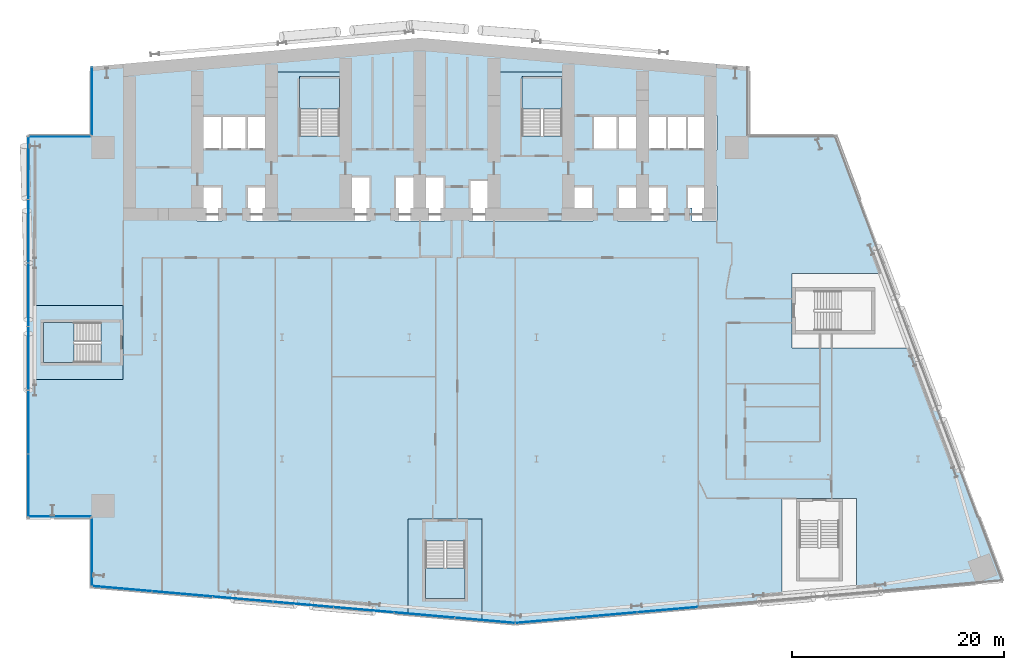
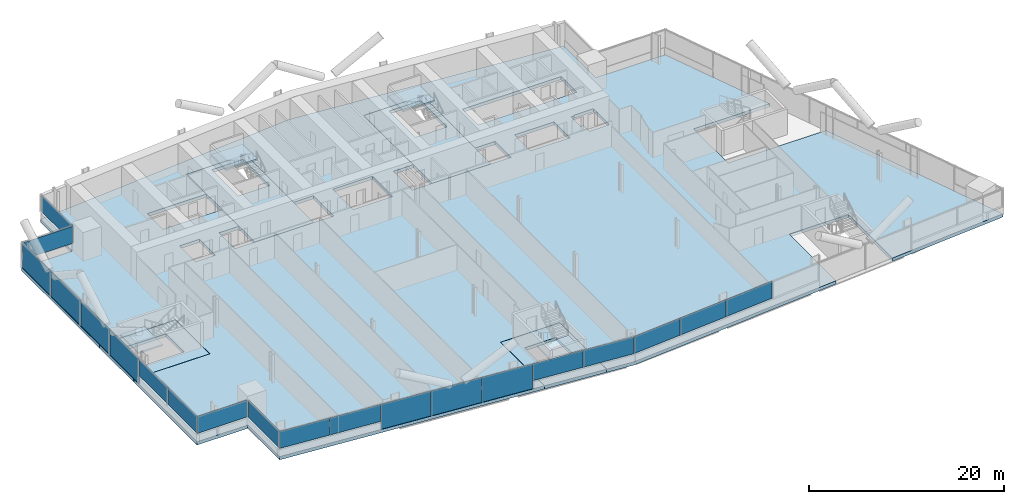
# One storey, part 11 of 25: 20 plates, 9 slabs, 11 elements without a shape of their own.
"""IFC4 building model written with IfcOpenShell, lengths in metres."""

from ifc_helpers import new_model, si_unit, direction, frame, origin, origin_2d, place, context, subcontext, project, spatial, polyline, rectangle, outline, extrude, material, layer, layer_set, type_object, element, aggregate, save


model = new_model("IFC4")

# Units and contexts
model_context = context("Model", 3, precision=1e-05, world=origin(), true_north=direction((0.0, 1.0)))
body_context = subcontext(model_context, "Body", "Model", "MODEL_VIEW")
ifc_project = project(units=[si_unit("LENGTHUNIT", "METRE"), si_unit("AREAUNIT", "SQUARE_METRE"), si_unit("VOLUMEUNIT", "CUBIC_METRE"), si_unit("PLANEANGLEUNIT", "RADIAN"), si_unit("MASSUNIT", "GRAM", prefix="KILO")], contexts=[model_context])

# Site, building, storey
site_placement = place(None, origin())
site = spatial("IfcSite", under=ifc_project, at=site_placement, CompositionType="ELEMENT")
building_placement = place(site_placement, origin())
building = spatial("IfcBuilding", under=site, at=building_placement, Name="Wharfspan Tower", CompositionType="ELEMENT")
storey_placement = place(building_placement, frame((0.0, 0.0, 63.100098)))
storey = spatial("IfcBuildingStorey", under=building, at=storey_placement, Name="L12", CompositionType="ELEMENT", Elevation=63.100098)

# Curtain wall, plates
ifc_material_1 = material(Name="Aluminium 6063-T6", Category="aluminium")
curtain_wall_type_1 = type_object("IfcCurtainWallType", Name="CURTAIN WALL FACETED FRONT", PredefinedType="NOTDEFINED", material=ifc_material_1)
curtain_wall_1_placement = place(storey_placement, origin())
curtain_wall_1 = element("IfcCurtainWall", 1, at=curtain_wall_1_placement, inside=storey, type_object=curtain_wall_type_1, Name="Curtain wall S1", PredefinedType="NOTDEFINED")
ifc_material_2 = material(Name="Glass clear low-iron double glazing", Category="glass")
ifc_layer_1 = layer(ifc_material_2, 0.040039)
ifc_layer_set_1 = layer_set([ifc_layer_1], Name="Glass clear low-iron double glazing")
plate_type_1 = type_object("IfcPlateType", Name="GLASS PANEL FACETED FRONT 40", PredefinedType="CURTAIN_PANEL", material=ifc_layer_set_1)
plate_1_placement = place(storey_placement, frame((8.877197, -0.716553, 0.999756), z_axis=(0.0, 0.0, 1.0), x_axis=(0.996197, -0.087156, 0.0)))
plate_1 = element("IfcPlate", 2, at=plate_1_placement, type_object=plate_type_1, Name="Curtain wall S1 panel 1", PredefinedType="CURTAIN_PANEL", context=body_context, shape_type="SweptSolid", body=[
    extrude(rectangle(XDim=5.645996, YDim=0.040039, at=origin_2d()), origin(), (0.0, 0.0, 1.0), 2.120117),
])
plate_2_placement = place(storey_placement, frame((14.57666, -1.215088, 0.999756), z_axis=(0.0, 0.0, 1.0), x_axis=(0.996197, -0.087156, 0.0)))
plate_2 = element("IfcPlate", 3, at=plate_2_placement, type_object=plate_type_1, Name="Curtain wall S1 panel 2", PredefinedType="CURTAIN_PANEL", context=body_context, shape_type="SweptSolid", body=[
    extrude(rectangle(XDim=5.676025, YDim=0.040039, at=origin_2d()), origin(), (0.0, 0.0, 1.0), 2.120117),
])
plate_3_placement = place(storey_placement, frame((37.433838, -3.214844, 0.999756), z_axis=(0.0, 0.0, 1.0), x_axis=(0.996197, -0.087156, 0.0)))
plate_3 = element("IfcPlate", 4, at=plate_3_placement, type_object=plate_type_1, Name="Curtain wall S1 panel 6", PredefinedType="CURTAIN_PANEL", context=body_context, shape_type="SweptSolid", body=[
    extrude(rectangle(XDim=5.676025, YDim=0.040039, at=origin_2d()), origin(), (0.0, 0.0, 1.0), 2.120117),
])
plate_4_placement = place(storey_placement, frame((43.133057, -3.713379, 0.999756), z_axis=(0.0, 0.0, 1.0), x_axis=(0.996197, -0.087156, 0.0)))
plate_4 = element("IfcPlate", 5, at=plate_4_placement, type_object=plate_type_1, Name="Curtain wall S1 panel 7", PredefinedType="CURTAIN_PANEL", context=body_context, shape_type="SweptSolid", body=[
    extrude(rectangle(XDim=5.645996, YDim=0.040039, at=origin_2d()), origin(), (0.0, 0.0, 1.0), 2.120117),
])

curtain_wall_2_placement = place(storey_placement, origin())
curtain_wall_2 = element("IfcCurtainWall", 6, at=curtain_wall_2_placement, inside=storey, type_object=curtain_wall_type_1, Name="Curtain wall S2", PredefinedType="NOTDEFINED")
plate_5_placement = place(storey_placement, frame((48.884766, -3.711914, 0.999756), z_axis=(0.0, 0.0, 1.0), x_axis=(0.996197, 0.087156, 0.0)))
plate_5 = element("IfcPlate", 7, at=plate_5_placement, type_object=plate_type_1, Name="Curtain wall S2 panel 1", PredefinedType="CURTAIN_PANEL", context=body_context, shape_type="SweptSolid", body=[
    extrude(rectangle(XDim=5.681885, YDim=0.040039, at=origin_2d()), origin(), (0.0, 0.0, 1.0), 2.120117),
])
plate_6_placement = place(storey_placement, frame((54.619873, -3.210205, 0.999756), z_axis=(0.0, 0.0, 1.0), x_axis=(0.996197, 0.087156, 0.0)))
plate_6 = element("IfcPlate", 8, at=plate_6_placement, type_object=plate_type_1, Name="Curtain wall S2 panel 2", PredefinedType="CURTAIN_PANEL", context=body_context, shape_type="SweptSolid", body=[
    extrude(rectangle(XDim=5.711914, YDim=0.040039, at=origin_2d()), origin(), (0.0, 0.0, 1.0), 2.120117),
])
plate_7_placement = place(storey_placement, frame((60.369873, -2.707031, 0.999756), z_axis=(0.0, 0.0, 1.0), x_axis=(0.996197, 0.087156, 0.0)))
plate_7 = element("IfcPlate", 9, at=plate_7_placement, type_object=plate_type_1, Name="Curtain wall S2 panel 3", PredefinedType="CURTAIN_PANEL", context=body_context, shape_type="SweptSolid", body=[
    extrude(rectangle(XDim=5.711914, YDim=0.040039, at=origin_2d()), origin(), (0.0, 0.0, 1.0), 2.120117),
])
aggregate(curtain_wall_2, [plate_5, plate_6, plate_7])

# Curtain wall, plate
curtain_wall_type_2 = type_object("IfcCurtainWallType", Name="CURTAIN WALL PROW AND END", PredefinedType="NOTDEFINED", material=ifc_material_1)
curtain_wall_3_placement = place(storey_placement, origin())
curtain_wall_3 = element("IfcCurtainWall", 10, at=curtain_wall_3_placement, inside=storey, type_object=curtain_wall_type_2, Name="Curtain wall NRW-V", PredefinedType="NOTDEFINED")
ifc_layer_2 = layer(ifc_material_2, 0.040039)
ifc_layer_set_2 = layer_set([ifc_layer_2], Name="Glass clear low-iron double glazing")
plate_type_2 = type_object("IfcPlateType", Name="GLASS PANEL PROW AND END 40", PredefinedType="CURTAIN_PANEL", material=ifc_layer_set_2)
plate_8_placement = place(storey_placement, frame((6.080078, 45.262451, 0.999756), z_axis=(0.0, 0.0, 1.0), x_axis=(0.0, -1.0, 0.0)))
plate_8 = element("IfcPlate", 11, at=plate_8_placement, type_object=plate_type_2, Name="Curtain wall NRW-V panel 1", PredefinedType="CURTAIN_PANEL", context=body_context, shape_type="SweptSolid", body=[
    extrude(rectangle(XDim=6.405029, YDim=0.040039, at=origin_2d()), origin(), (0.0, 0.0, 1.0), 2.120117),
])
aggregate(curtain_wall_3, [plate_8])

curtain_wall_4_placement = place(storey_placement, origin())
curtain_wall_4 = element("IfcCurtainWall", 12, at=curtain_wall_4_placement, inside=storey, type_object=curtain_wall_type_2, Name="Curtain wall NRW-H", PredefinedType="NOTDEFINED")
plate_9_placement = place(storey_placement, frame((3.0, 41.919922, 0.999756), z_axis=(0.0, 0.0, 1.0), x_axis=(-1.0, 0.0, 0.0)))
plate_9 = element("IfcPlate", 13, at=plate_9_placement, type_object=plate_type_2, Name="Curtain wall NRW-H panel 1", PredefinedType="CURTAIN_PANEL", context=body_context, shape_type="SweptSolid", body=[
    extrude(rectangle(XDim=5.879883, YDim=0.040039, at=origin_2d()), origin(), (0.0, 0.0, 1.0), 2.120117),
])
aggregate(curtain_wall_4, [plate_9])

# Curtain wall, plates
curtain_wall_5_placement = place(storey_placement, origin())
curtain_wall_5 = element("IfcCurtainWall", 14, at=curtain_wall_5_placement, inside=storey, type_object=curtain_wall_type_2, Name="Curtain wall W", PredefinedType="NOTDEFINED")
plate_10_placement = place(storey_placement, frame((0.080078, 15.0, 0.999756), z_axis=(0.0, 0.0, 1.0), x_axis=(0.0, -1.0, 0.0)))
plate_10 = element("IfcPlate", 15, at=plate_10_placement, type_object=plate_type_2, Name="Curtain wall W panel 5", PredefinedType="CURTAIN_PANEL", context=body_context, shape_type="SweptSolid", body=[
    extrude(rectangle(XDim=5.939941, YDim=0.040039, at=origin_2d()), origin(), (0.0, 0.0, 1.0), 2.120117),
])
plate_11_placement = place(storey_placement, frame((0.080078, 9.014893, 0.999756), z_axis=(0.0, 0.0, 1.0), x_axis=(0.0, -1.0, 0.0)))
plate_11 = element("IfcPlate", 16, at=plate_11_placement, type_object=plate_type_2, Name="Curtain wall W panel 6", PredefinedType="CURTAIN_PANEL", context=body_context, shape_type="SweptSolid", body=[
    extrude(rectangle(XDim=5.909912, YDim=0.040039, at=origin_2d()), origin(), (0.0, 0.0, 1.0), 2.120117),
])

# Curtain wall, plate
curtain_wall_6_placement = place(storey_placement, origin())
curtain_wall_6 = element("IfcCurtainWall", 17, at=curtain_wall_6_placement, inside=storey, type_object=curtain_wall_type_2, Name="Curtain wall NFW-H", PredefinedType="NOTDEFINED")
plate_12_placement = place(storey_placement, frame((3.0, 6.080078, 0.999756), z_axis=(0.0, 0.0, 1.0), x_axis=(1.0, 0.0, 0.0)))
plate_12 = element("IfcPlate", 18, at=plate_12_placement, type_object=plate_type_2, Name="Curtain wall NFW-H panel 1", PredefinedType="CURTAIN_PANEL", context=body_context, shape_type="SweptSolid", body=[
    extrude(rectangle(XDim=5.879883, YDim=0.040039, at=origin_2d()), origin(), (0.0, 0.0, 1.0), 2.120117),
])
aggregate(curtain_wall_6, [plate_12])

curtain_wall_7_placement = place(storey_placement, origin())
curtain_wall_7 = element("IfcCurtainWall", 19, at=curtain_wall_7_placement, inside=storey, type_object=curtain_wall_type_2, Name="Curtain wall NFW-V", PredefinedType="NOTDEFINED")
plate_13_placement = place(storey_placement, frame((6.080078, 2.737549, 0.999756), z_axis=(0.0, 0.0, 1.0), x_axis=(0.0, -1.0, 0.0)))
plate_13 = element("IfcPlate", 20, at=plate_13_placement, type_object=plate_type_2, Name="Curtain wall NFW-V panel 1", PredefinedType="CURTAIN_PANEL", context=body_context, shape_type="SweptSolid", body=[
    extrude(rectangle(XDim=6.405029, YDim=0.040039, at=origin_2d()), origin(), (0.0, 0.0, 1.0), 2.120117),
])
aggregate(curtain_wall_7, [plate_13])

# Plate
ifc_material_3 = material(Name="Aluminium composite opaque insulated panel", Category="aluminium")
ifc_layer_3 = layer(ifc_material_3, 0.040039)
ifc_layer_set_3 = layer_set([ifc_layer_3], Name="Aluminium composite opaque insulated panel")
plate_type_3 = type_object("IfcPlateType", Name="INFILL PANEL FACETED FRONT OPAQUE 40", PredefinedType="SHEET", material=ifc_layer_set_3)
plate_14_placement = place(storey_placement, frame((20.291016, -1.715088, -0.000244), z_axis=(0.0, 0.0, 1.0), x_axis=(0.996197, -0.087156, 0.0)))
plate_14 = element("IfcPlate", 21, at=plate_14_placement, type_object=plate_type_3, Name="Curtain wall S1 panel 3", PredefinedType="SHEET", context=body_context, shape_type="SweptSolid", body=[
    extrude(rectangle(XDim=5.676025, YDim=0.040039, at=origin_2d()), origin(), (0.0, 0.0, 1.0), 3.120117),
])

plate_15_placement = place(storey_placement, frame((26.005127, -2.214844, -0.000244), z_axis=(0.0, 0.0, 1.0), x_axis=(0.996197, -0.087156, 0.0)))
plate_15 = element("IfcPlate", 22, at=plate_15_placement, type_object=plate_type_3, Name="Curtain wall S1 panel 4", PredefinedType="SHEET", context=body_context, shape_type="SweptSolid", body=[
    extrude(rectangle(XDim=5.676025, YDim=0.040039, at=origin_2d()), origin(), (0.0, 0.0, 1.0), 3.120117),
])

plate_16_placement = place(storey_placement, frame((31.719482, -2.714844, -0.000244), z_axis=(0.0, 0.0, 1.0), x_axis=(0.996197, -0.087156, 0.0)))
plate_16 = element("IfcPlate", 23, at=plate_16_placement, type_object=plate_type_3, Name="Curtain wall S1 panel 5", PredefinedType="SHEET", context=body_context, shape_type="SweptSolid", body=[
    extrude(rectangle(XDim=5.676025, YDim=0.040039, at=origin_2d()), origin(), (0.0, 0.0, 1.0), 3.120117),
])

aggregate(curtain_wall_1, [plate_1, plate_2, plate_14, plate_15, plate_16, plate_3, plate_4])

ifc_layer_4 = layer(ifc_material_3, 0.040039)
ifc_layer_set_4 = layer_set([ifc_layer_4], Name="Aluminium composite opaque insulated panel")
plate_type_4 = type_object("IfcPlateType", Name="INFILL PANEL PROW AND END OPAQUE 40", PredefinedType="SHEET", material=ifc_layer_set_4)
plate_17_placement = place(storey_placement, frame((0.080078, 38.985107, -0.000244), z_axis=(0.0, 0.0, 1.0), x_axis=(0.0, -1.0, 0.0)))
plate_17 = element("IfcPlate", 24, at=plate_17_placement, type_object=plate_type_4, Name="Curtain wall W panel 1", PredefinedType="SHEET", context=body_context, shape_type="SweptSolid", body=[
    extrude(rectangle(XDim=5.909912, YDim=0.040039, at=origin_2d()), origin(), (0.0, 0.0, 1.0), 3.120117),
])

plate_18_placement = place(storey_placement, frame((0.080078, 33.0, -0.000244), z_axis=(0.0, 0.0, 1.0), x_axis=(0.0, -1.0, 0.0)))
plate_18 = element("IfcPlate", 25, at=plate_18_placement, type_object=plate_type_4, Name="Curtain wall W panel 2", PredefinedType="SHEET", context=body_context, shape_type="SweptSolid", body=[
    extrude(rectangle(XDim=5.939941, YDim=0.040039, at=origin_2d()), origin(), (0.0, 0.0, 1.0), 3.120117),
])

plate_19_placement = place(storey_placement, frame((0.080078, 27.0, -0.000244), z_axis=(0.0, 0.0, 1.0), x_axis=(0.0, -1.0, 0.0)))
plate_19 = element("IfcPlate", 26, at=plate_19_placement, type_object=plate_type_4, Name="Curtain wall W panel 3", PredefinedType="SHEET", context=body_context, shape_type="SweptSolid", body=[
    extrude(rectangle(XDim=5.939941, YDim=0.040039, at=origin_2d()), origin(), (0.0, 0.0, 1.0), 3.120117),
])

plate_20_placement = place(storey_placement, frame((0.080078, 21.0, -0.000244), z_axis=(0.0, 0.0, 1.0), x_axis=(0.0, -1.0, 0.0)))
plate_20 = element("IfcPlate", 27, at=plate_20_placement, type_object=plate_type_4, Name="Curtain wall W panel 4", PredefinedType="SHEET", context=body_context, shape_type="SweptSolid", body=[
    extrude(rectangle(XDim=5.939941, YDim=0.040039, at=origin_2d()), origin(), (0.0, 0.0, 1.0), 3.120117),
])

aggregate(curtain_wall_5, [plate_17, plate_18, plate_19, plate_20, plate_10, plate_11])

# Slabs
ifc_material_4 = material(Name="Concrete C40/50", Category="concrete")
ifc_layer_5 = layer(ifc_material_4, 0.399902)
ifc_layer_set_5 = layer_set([ifc_layer_5], Name="Concrete C40/50")
slab_type_1 = type_object("IfcSlabType", Name="Post-tensioned flat slab 400", PredefinedType="FLOOR", material=ifc_layer_set_5)
slab_1_placement = place(storey_placement, frame((0.0, 0.0, -0.400146)))
element("IfcSlab", 28, at=slab_1_placement, inside=storey, type_object=slab_type_1, Name="Floor slab L12", PredefinedType="FLOOR", context=body_context, shape_type="SweptSolid", body=[
    extrude(outline(polyline([(35.873291, -3.138428), (35.873291, 5.870605), (42.893311, 5.870605), (42.893311, -3.752686), (46.0, -4.024414), (71.182617, -1.821289), (71.182617, 7.802002), (78.202393, 7.802002), (78.202393, -1.207031), (92.0, 0.0), (83.753662, 21.98999), (72.11499, 21.98999), (72.11499, 29.01001), (81.121338, 29.01001), (76.25, 42.0), (68.0, 42.0), (68.0, 48.524902), (37.0, 51.237061), (6.0, 48.524902), (6.0, 42.0), (0.0, 42.0), (0.0, 26.01001), (9.01001, 26.01001), (9.01001, 18.98999), (0.0, 18.98999), (0.0, 6.0), (6.0, 6.0), (6.0, -0.524902), (35.873291, -3.138428)]), holes=[polyline([(62.290039, 37.159912), (62.656738, 37.159912), (62.656738, 37.26001), (65.01001, 37.26001), (65.01001, 33.98999), (62.656738, 33.98999), (62.656738, 35.189941), (62.290039, 35.189941), (62.290039, 37.159912)]), polyline([(65.01001, 43.909912), (65.01001, 40.689941), (53.323242, 40.689941), (53.323242, 43.909912), (65.01001, 43.909912)]), polyline([(55.656738, 33.98999), (55.656738, 37.26001), (60.343262, 37.26001), (60.343262, 33.98999), (55.656738, 33.98999)]), polyline([(43.98999, 37.860107), (43.98999, 48.01001), (51.01001, 48.01001), (51.01001, 37.26001), (53.343262, 37.26001), (53.343262, 33.98999), (41.656738, 33.98999), (41.656738, 37.860107), (43.98999, 37.860107)]), polyline([(34.656738, 33.98999), (34.656738, 38.159912), (39.343262, 38.159912), (39.343262, 33.98999), (34.656738, 33.98999)]), polyline([(15.98999, 40.689941), (15.98999, 43.909912), (20.656738, 43.909912), (20.676758, 43.909912), (22.98999, 43.909912), (22.98999, 48.01001), (30.01001, 48.01001), (30.01001, 38.159912), (32.343262, 38.159912), (32.343262, 33.98999), (20.656738, 33.98999), (20.656738, 37.26001), (22.98999, 37.26001), (22.98999, 40.689941), (20.676758, 40.689941), (20.656738, 40.689941), (15.98999, 40.689941)]), polyline([(18.343262, 37.26001), (18.343262, 33.98999), (15.98999, 33.98999), (15.98999, 37.26001), (18.343262, 37.26001)])]), origin(), (0.0, 0.0, 1.0), 0.400146),
])
slab_2_placement = place(storey_placement, frame((0.0, 0.0, -0.400146)))
element("IfcSlab", 29, at=slab_2_placement, inside=storey, type_object=slab_type_1, Name="Core floor slab L12 part 1", PredefinedType="FLOOR", context=body_context, shape_type="SweptSolid", body=[
    extrude(outline(polyline([(9.0, 20.324951), (9.0, 24.675049), (9.0, 26.0), (0.0, 26.0), (0.0, 19.0), (9.0, 19.0), (9.0, 20.324951)]), holes=[polyline([(6.9021, 20.625), (6.9021, 20.624756), (6.9021, 20.624512), (6.901855, 20.624512), (6.901855, 20.624268), (6.901855, 20.624023), (6.901611, 20.623779), (6.901611, 20.623779), (6.901367, 20.623535), (6.901367, 20.623535), (6.901123, 20.623291), (6.900879, 20.623291), (6.900879, 20.623291), (6.900635, 20.623047), (6.900391, 20.623047), (6.900146, 20.623047), (6.899902, 20.623047), (1.5, 20.623047), (1.499756, 20.623047), (1.499512, 20.623047), (1.499512, 20.623047), (1.499268, 20.623291), (1.499023, 20.623291), (1.498779, 20.623291), (1.498779, 20.623535), (1.498535, 20.623535), (1.498535, 20.623779), (1.498291, 20.623779), (1.498291, 20.624023), (1.498291, 20.624268), (1.498047, 20.624512), (1.498047, 20.624512), (1.498047, 20.624756), (1.498047, 20.625), (1.498047, 24.375), (1.498047, 24.375244), (1.498047, 24.375488), (1.498047, 24.375488), (1.498291, 24.375732), (1.498291, 24.375977), (1.498291, 24.376221), (1.498535, 24.376221), (1.498535, 24.376465), (1.498779, 24.376465), (1.498779, 24.376709), (1.499023, 24.376709), (1.499268, 24.376709), (1.499512, 24.376953), (1.499512, 24.376953), (1.499756, 24.376953), (1.5, 24.376953), (6.899902, 24.376953), (6.900146, 24.376953), (6.900391, 24.376953), (6.900635, 24.376953), (6.900879, 24.376709), (6.900879, 24.376709), (6.901123, 24.376709), (6.901367, 24.376465), (6.901367, 24.376465), (6.901611, 24.376221), (6.901611, 24.376221), (6.901855, 24.375977), (6.901855, 24.375732), (6.901855, 24.375488), (6.9021, 24.375488), (6.9021, 24.375244), (6.9021, 24.375), (6.9021, 20.625)])]), origin(), (0.0, 0.0, 1.0), 0.400146),
])
slab_3_placement = place(storey_placement, frame((0.0, 0.0, -0.400146)))
element("IfcSlab", 30, at=slab_3_placement, inside=storey, type_object=slab_type_1, Name="Core floor slab L12 part 2", PredefinedType="FLOOR", context=body_context, shape_type="SweptSolid", body=[
    extrude(outline(polyline([(20.664795, 34.0), (20.664795, 37.25), (20.664795, 37.250244), (20.664795, 37.250488), (20.664795, 37.250488), (20.664795, 37.250732), (20.664795, 37.250977), (20.665039, 37.251221), (20.665039, 37.251221), (20.665283, 37.251465), (20.665283, 37.251465), (20.665527, 37.251709), (20.665771, 37.251709), (20.666016, 37.251709), (20.666016, 37.251953), (20.66626, 37.251953), (20.666504, 37.251953), (20.666748, 37.251953), (23.0, 37.251953), (23.000244, 37.251953), (23.000488, 37.251953), (23.000488, 37.251953), (23.000732, 37.251709), (23.000977, 37.251709), (23.001221, 37.251709), (23.001221, 37.251465), (23.001465, 37.251465), (23.001465, 37.251221), (23.001709, 37.251221), (23.001709, 37.250977), (23.001709, 37.250732), (23.001953, 37.250488), (23.001953, 37.250488), (23.001953, 37.250244), (23.001953, 37.25), (23.001953, 34.0), (29.998047, 34.0), (29.998047, 38.149902), (29.998047, 38.150146), (29.998047, 38.150391), (29.998047, 38.150635), (29.998291, 38.150879), (29.998291, 38.150879), (29.998291, 38.151123), (29.998535, 38.151367), (29.998535, 38.151367), (29.998779, 38.151611), (29.998779, 38.151611), (29.999023, 38.151855), (29.999268, 38.151855), (29.999512, 38.151855), (29.999512, 38.1521), (29.999756, 38.1521), (30.0, 38.1521), (32.333252, 38.1521), (32.333496, 38.1521), (32.33374, 38.1521), (32.333984, 38.151855), (32.333984, 38.151855), (32.334229, 38.151855), (32.334473, 38.151611), (32.334717, 38.151611), (32.334717, 38.151367), (32.334961, 38.151367), (32.334961, 38.151123), (32.335205, 38.150879), (32.335205, 38.150879), (32.335205, 38.150635), (32.335205, 38.150391), (32.335205, 38.150146), (32.335205, 38.149902), (32.335205, 34.0), (32.341309, 34.0), (32.341309, 38.157959), (30.01001, 38.157959), (30.009766, 38.157959), (30.009521, 38.157959), (30.009521, 38.158203), (30.009277, 38.158203), (30.009033, 38.158203), (30.008789, 38.158203), (30.008789, 38.158447), (30.008545, 38.158691), (30.008545, 38.158691), (30.008301, 38.158936), (30.008301, 38.15918), (30.008301, 38.15918), (30.008057, 38.159424), (30.008057, 38.159668), (30.008057, 38.159912), (30.008057, 38.159912), (30.008057, 48.008057), (22.991943, 48.008057), (22.991943, 43.909912), (22.991943, 43.909912), (22.991943, 43.909668), (22.991943, 43.909424), (22.991699, 43.90918), (22.991699, 43.90918), (22.991699, 43.908936), (22.991455, 43.908691), (22.991455, 43.908691), (22.991211, 43.908447), (22.991211, 43.908203), (22.990967, 43.908203), (22.990723, 43.908203), (22.990479, 43.908203), (22.990479, 43.907959), (22.990234, 43.907959), (22.98999, 43.907959), (15.991943, 43.907959), (15.991943, 40.691895), (22.98999, 40.691895), (22.990234, 40.691895), (22.990479, 40.691895), (22.990479, 40.691895), (22.990723, 40.691895), (22.990967, 40.691895), (22.991211, 40.69165), (22.991211, 40.691406), (22.991455, 40.691406), (22.991455, 40.691406), (22.991699, 40.691162), (22.991699, 40.690918), (22.991699, 40.690918), (22.991943, 40.690674), (22.991943, 40.69043), (22.991943, 40.690186), (22.991943, 40.689941), (22.991943, 37.26001), (22.991943, 37.259766), (22.991943, 37.259521), (22.991943, 37.259521), (22.991699, 37.259277), (22.991699, 37.259033), (22.991699, 37.258789), (22.991455, 37.258789), (22.991455, 37.258545), (22.991211, 37.258545), (22.991211, 37.258301), (22.990967, 37.258301), (22.990723, 37.258301), (22.990479, 37.258057), (22.990479, 37.258057), (22.990234, 37.258057), (22.98999, 37.258057), (20.658691, 37.258057), (20.658691, 34.0), (20.664795, 34.0)]), holes=[polyline([(29.4021, 42.0), (29.4021, 41.999756), (29.4021, 41.999512), (29.401855, 41.999512), (29.401855, 41.999268), (29.401855, 41.999023), (29.401611, 41.998779), (29.401611, 41.998779), (29.401367, 41.998535), (29.401367, 41.998535), (29.401123, 41.998291), (29.400879, 41.998291), (29.400879, 41.998291), (29.400635, 41.998047), (29.400391, 41.998047), (29.400146, 41.998047), (29.399902, 41.998047), (25.649902, 41.998047), (25.649902, 41.998047), (25.649658, 41.998047), (25.649414, 41.998047), (25.64917, 41.998291), (25.64917, 41.998291), (25.648926, 41.998291), (25.648682, 41.998535), (25.648682, 41.998535), (25.648438, 41.998779), (25.648193, 41.998779), (25.648193, 41.999023), (25.648193, 41.999268), (25.648193, 41.999512), (25.647949, 41.999512), (25.647949, 41.999756), (25.647949, 42.0), (25.647949, 47.399902), (25.647949, 47.400146), (25.647949, 47.400391), (25.648193, 47.400635), (25.648193, 47.400879), (25.648193, 47.400879), (25.648193, 47.401123), (25.648438, 47.401367), (25.648682, 47.401367), (25.648682, 47.401611), (25.648926, 47.401611), (25.64917, 47.401855), (25.64917, 47.401855), (25.649414, 47.401855), (25.649658, 47.4021), (25.649902, 47.4021), (25.649902, 47.4021), (29.399902, 47.4021), (29.400146, 47.4021), (29.400391, 47.4021), (29.400635, 47.401855), (29.400879, 47.401855), (29.400879, 47.401855), (29.401123, 47.401611), (29.401367, 47.401611), (29.401367, 47.401367), (29.401611, 47.401367), (29.401611, 47.401123), (29.401855, 47.400879), (29.401855, 47.400879), (29.401855, 47.400635), (29.4021, 47.400391), (29.4021, 47.400146), (29.4021, 47.399902), (29.4021, 42.0)]), polyline([(16.0, 40.697998), (15.999756, 40.697998), (15.999512, 40.697998), (15.999512, 40.697998), (15.999268, 40.698242), (15.999023, 40.698242), (15.998779, 40.698242), (15.998779, 40.698486), (15.998535, 40.698486), (15.998535, 40.69873), (15.998291, 40.698975), (15.998291, 40.699219), (15.998291, 40.699219), (15.998047, 40.699463), (15.998047, 40.699707), (15.998047, 40.699707), (15.998047, 40.699951), (15.998047, 43.899902), (15.998047, 43.900146), (15.998047, 43.900391), (15.998047, 43.900635), (15.998291, 43.900879), (15.998291, 43.900879), (15.998291, 43.901123), (15.998535, 43.901367), (15.998535, 43.901367), (15.998779, 43.901611), (15.998779, 43.901611), (15.999023, 43.901855), (15.999268, 43.901855), (15.999512, 43.901855), (15.999512, 43.9021), (15.999756, 43.9021), (16.0, 43.9021), (20.666748, 43.9021), (20.666748, 43.9021), (23.0, 43.9021), (23.000244, 43.9021), (23.000488, 43.9021), (23.000488, 43.901855), (23.000732, 43.901855), (23.000977, 43.901855), (23.001221, 43.901611), (23.001221, 43.901611), (23.001465, 43.901367), (23.001465, 43.901367), (23.001709, 43.901123), (23.001709, 43.900879), (23.001709, 43.900879), (23.001953, 43.900635), (23.001953, 43.900391), (23.001953, 43.900146), (23.001953, 43.899902), (23.001953, 40.699951), (23.001953, 40.699707), (23.001953, 40.699707), (23.001953, 40.699463), (23.001709, 40.699219), (23.001709, 40.699219), (23.001709, 40.698975), (23.001465, 40.69873), (23.001465, 40.698486), (23.001221, 40.698486), (23.001221, 40.698242), (23.000977, 40.698242), (23.000732, 40.698242), (23.000488, 40.697998), (23.000488, 40.697998), (23.000244, 40.697998), (23.0, 40.697998), (20.666748, 40.697998), (20.666748, 40.697998), (16.0, 40.697998)])]), origin(), (0.0, 0.0, 1.0), 0.400146),
])
slab_4_placement = place(storey_placement, frame((0.0, 0.0, -0.400146)))
element("IfcSlab", 31, at=slab_4_placement, inside=storey, type_object=slab_type_1, Name="Core floor slab L12 part 3", PredefinedType="FLOOR", context=body_context, shape_type="SweptSolid", body=[
    extrude(outline(polyline([(41.55835, 5.860596), (37.208252, 5.860596), (35.883301, 5.860596), (35.883301, -3.139404), (42.883301, -3.751709), (42.883301, 5.860596), (41.55835, 5.860596)]), holes=[polyline([(37.506348, 3.760498), (37.506348, 3.760742), (37.506348, 3.760986), (37.506348, 3.76123), (37.506592, 3.761475), (37.506592, 3.761719), (37.506592, 3.761719), (37.506836, 3.761963), (37.506836, 3.761963), (37.50708, 3.762207), (37.50708, 3.762207), (37.507324, 3.762451), (37.507568, 3.762451), (37.507812, 3.762451), (37.507812, 3.762695), (37.508057, 3.762695), (37.508301, 3.762695), (41.258301, 3.762695), (41.258545, 3.762695), (41.258789, 3.762695), (41.258789, 3.762451), (41.259033, 3.762451), (41.259277, 3.762451), (41.259521, 3.762207), (41.259521, 3.762207), (41.259766, 3.761963), (41.26001, 3.761963), (41.26001, 3.761719), (41.26001, 3.761719), (41.260254, 3.761475), (41.260254, 3.76123), (41.260254, 3.760986), (41.260254, 3.760742), (41.260254, 3.760498), (41.260254, -1.639404), (41.260254, -1.639648), (41.260254, -1.639893), (41.260254, -1.639893), (41.260254, -1.640137), (41.26001, -1.640381), (41.26001, -1.640381), (41.26001, -1.640625), (41.259766, -1.640869), (41.259521, -1.640869), (41.259521, -1.641113), (41.259277, -1.641113), (41.259033, -1.641113), (41.258789, -1.641357), (41.258789, -1.641357), (41.258545, -1.641357), (41.258301, -1.641357), (37.508301, -1.641357), (37.508057, -1.641357), (37.507812, -1.641357), (37.507812, -1.641357), (37.507568, -1.641113), (37.507324, -1.641113), (37.50708, -1.641113), (37.50708, -1.640869), (37.506836, -1.640869), (37.506836, -1.640625), (37.506592, -1.640381), (37.506592, -1.640381), (37.506592, -1.640137), (37.506348, -1.639893), (37.506348, -1.639893), (37.506348, -1.639648), (37.506348, -1.639404), (37.506348, 3.760498)])]), origin(), (0.0, 0.0, 1.0), 0.400146),
])
slab_5_placement = place(storey_placement, frame((0.0, 0.0, -0.400146)))
element("IfcSlab", 32, at=slab_5_placement, inside=storey, type_object=slab_type_1, Name="Core floor slab L12 part 4", PredefinedType="FLOOR", context=body_context, shape_type="SweptSolid", body=[
    extrude(outline(polyline([(53.341309, 34.0), (53.341309, 37.258057), (51.01001, 37.258057), (51.009766, 37.258057), (51.009521, 37.258057), (51.009521, 37.258057), (51.009277, 37.258301), (51.009033, 37.258301), (51.008789, 37.258301), (51.008789, 37.258545), (51.008545, 37.258545), (51.008545, 37.258789), (51.008301, 37.258789), (51.008301, 37.259033), (51.008301, 37.259277), (51.008057, 37.259521), (51.008057, 37.259521), (51.008057, 37.259766), (51.008057, 37.26001), (51.008057, 48.008057), (43.991943, 48.008057), (43.991943, 37.860107), (43.991943, 37.859863), (43.991943, 37.859619), (43.991943, 37.859375), (43.991699, 37.859131), (43.991699, 37.859131), (43.991699, 37.858887), (43.991455, 37.858643), (43.991455, 37.858643), (43.991211, 37.858398), (43.991211, 37.858398), (43.990967, 37.858154), (43.990723, 37.858154), (43.990479, 37.858154), (43.990479, 37.85791), (43.990234, 37.85791), (43.98999, 37.85791), (41.658691, 37.85791), (41.658691, 34.0), (41.664795, 34.0), (41.664795, 37.850098), (41.664795, 37.850098), (41.664795, 37.850342), (41.664795, 37.850586), (41.664795, 37.85083), (41.664795, 37.85083), (41.665039, 37.851074), (41.665039, 37.851318), (41.665283, 37.851318), (41.665283, 37.851562), (41.665527, 37.851807), (41.665771, 37.851807), (41.666016, 37.851807), (41.666016, 37.851807), (41.66626, 37.852051), (41.666504, 37.852051), (41.666748, 37.852051), (44.0, 37.852051), (44.000244, 37.852051), (44.000488, 37.852051), (44.000488, 37.851807), (44.000732, 37.851807), (44.000977, 37.851807), (44.001221, 37.851807), (44.001221, 37.851562), (44.001465, 37.851318), (44.001465, 37.851318), (44.001709, 37.851074), (44.001709, 37.85083), (44.001709, 37.85083), (44.001953, 37.850586), (44.001953, 37.850342), (44.001953, 37.850098), (44.001953, 37.850098), (44.001953, 34.0), (50.998047, 34.0), (50.998047, 37.25), (50.998047, 37.250244), (50.998047, 37.250488), (50.998047, 37.250488), (50.998291, 37.250732), (50.998291, 37.250977), (50.998291, 37.251221), (50.998535, 37.251221), (50.998535, 37.251465), (50.998779, 37.251465), (50.998779, 37.251709), (50.999023, 37.251709), (50.999268, 37.251709), (50.999512, 37.251953), (50.999512, 37.251953), (50.999756, 37.251953), (51.0, 37.251953), (53.333252, 37.251953), (53.333496, 37.251953), (53.33374, 37.251953), (53.333984, 37.251953), (53.333984, 37.251709), (53.334229, 37.251709), (53.334473, 37.251709), (53.334717, 37.251465), (53.334717, 37.251465), (53.334961, 37.251221), (53.334961, 37.251221), (53.335205, 37.250977), (53.335205, 37.250732), (53.335205, 37.250488), (53.335205, 37.250488), (53.335205, 37.250244), (53.335205, 37.25), (53.335205, 34.0), (53.341309, 34.0)]), holes=[polyline([(46.649902, 41.998047), (46.649902, 41.998047), (46.649658, 41.998047), (46.649414, 41.998047), (46.64917, 41.998291), (46.64917, 41.998291), (46.648926, 41.998291), (46.648682, 41.998535), (46.648682, 41.998535), (46.648438, 41.998779), (46.648193, 41.998779), (46.648193, 41.999023), (46.648193, 41.999268), (46.648193, 41.999512), (46.647949, 41.999512), (46.647949, 41.999756), (46.647949, 42.0), (46.647949, 47.399902), (46.647949, 47.400146), (46.647949, 47.400391), (46.648193, 47.400635), (46.648193, 47.400879), (46.648193, 47.400879), (46.648193, 47.401123), (46.648438, 47.401367), (46.648682, 47.401367), (46.648682, 47.401611), (46.648926, 47.401611), (46.64917, 47.401855), (46.64917, 47.401855), (46.649414, 47.401855), (46.649658, 47.4021), (46.649902, 47.4021), (46.649902, 47.4021), (50.399902, 47.4021), (50.400146, 47.4021), (50.400391, 47.4021), (50.400635, 47.401855), (50.400879, 47.401855), (50.400879, 47.401855), (50.401123, 47.401611), (50.401367, 47.401611), (50.401367, 47.401367), (50.401611, 47.401367), (50.401611, 47.401123), (50.401855, 47.400879), (50.401855, 47.400879), (50.401855, 47.400635), (50.4021, 47.400391), (50.4021, 47.400146), (50.4021, 47.399902), (50.4021, 42.0), (50.4021, 41.999756), (50.4021, 41.999512), (50.401855, 41.999512), (50.401855, 41.999268), (50.401855, 41.999023), (50.401611, 41.998779), (50.401611, 41.998779), (50.401367, 41.998535), (50.401367, 41.998535), (50.401123, 41.998291), (50.400879, 41.998291), (50.400879, 41.998291), (50.400635, 41.998047), (50.400391, 41.998047), (50.400146, 41.998047), (50.399902, 41.998047), (46.649902, 41.998047)])]), origin(), (0.0, 0.0, 1.0), 0.400146),
])

# Stair, slab
stair_type = type_object("IfcStairType", Name="Half-turn stair 20 risers 180 mm", PredefinedType="HALF_TURN_STAIR", material=ifc_material_4)
stair_1_placement = place(storey_placement, origin())
stair_1 = element("IfcStair", 33, at=stair_1_placement, inside=storey, type_object=stair_type, Name="L12 stair ST1", PredefinedType="HALF_TURN_STAIR")
ifc_layer_6 = layer(ifc_material_4, 0.199951)
ifc_layer_set_6 = layer_set([ifc_layer_6], Name="Concrete C40/50")
slab_type_2 = type_object("IfcSlabType", Name="Stair landing 200", PredefinedType="LANDING", material=ifc_layer_set_6)
slab_6_placement = place(storey_placement, frame((0.0, 0.0, 1.599609)))
slab_6 = element("IfcSlab", 34, at=slab_6_placement, type_object=slab_type_2, Name="ST1 landing 1", PredefinedType="LANDING", context=body_context, shape_type="SweptSolid", body=[
    extrude(outline(polyline([(25.649902, 44.52002), (29.399902, 44.52002), (29.399902, 47.582764), (25.649902, 47.582764), (25.649902, 44.52002)])), origin(), (0.0, 0.0, 1.0), 0.200195),
])
aggregate(stair_1, [slab_6])

stair_2_placement = place(storey_placement, origin())
stair_2 = element("IfcStair", 35, at=stair_2_placement, inside=storey, type_object=stair_type, Name="L12 stair ST2", PredefinedType="HALF_TURN_STAIR")
slab_7_placement = place(storey_placement, frame((0.0, 0.0, 1.599609)))
slab_7 = element("IfcSlab", 36, at=slab_7_placement, type_object=slab_type_2, Name="ST2 landing 1", PredefinedType="LANDING", context=body_context, shape_type="SweptSolid", body=[
    extrude(outline(polyline([(46.649902, 44.52002), (50.399902, 44.52002), (50.399902, 47.582764), (46.649902, 47.582764), (46.649902, 44.52002)])), origin(), (0.0, 0.0, 1.0), 0.200195),
])
aggregate(stair_2, [slab_7])

stair_3_placement = place(storey_placement, origin())
stair_3 = element("IfcStair", 37, at=stair_3_placement, inside=storey, type_object=stair_type, Name="L12 stair ST3", PredefinedType="HALF_TURN_STAIR")
slab_8_placement = place(storey_placement, frame((0.0, 0.0, 1.599609)))
slab_8 = element("IfcSlab", 38, at=slab_8_placement, type_object=slab_type_2, Name="ST3 landing 1", PredefinedType="LANDING", context=body_context, shape_type="SweptSolid", body=[
    extrude(outline(polyline([(4.379883, 24.375), (1.5, 24.375), (1.5, 20.625), (4.379883, 20.625), (4.379883, 24.375)])), origin(), (0.0, 0.0, 1.0), 0.200195),
])
aggregate(stair_3, [slab_8])

stair_4_placement = place(storey_placement, origin())
stair_4 = element("IfcStair", 39, at=stair_4_placement, inside=storey, type_object=stair_type, Name="L12 stair ST4", PredefinedType="HALF_TURN_STAIR")
slab_9_placement = place(storey_placement, frame((0.0, 0.0, 1.599609)))
slab_9 = element("IfcSlab", 40, at=slab_9_placement, type_object=slab_type_2, Name="ST4 landing 1", PredefinedType="LANDING", context=body_context, shape_type="SweptSolid", body=[
    extrude(outline(polyline([(37.508301, 1.240723), (37.508301, -1.639404), (41.258301, -1.639404), (41.258301, 1.240723), (37.508301, 1.240723)])), origin(), (0.0, 0.0, 1.0), 0.200195),
])
aggregate(stair_4, [slab_9])

save(model, "model.ifc")
